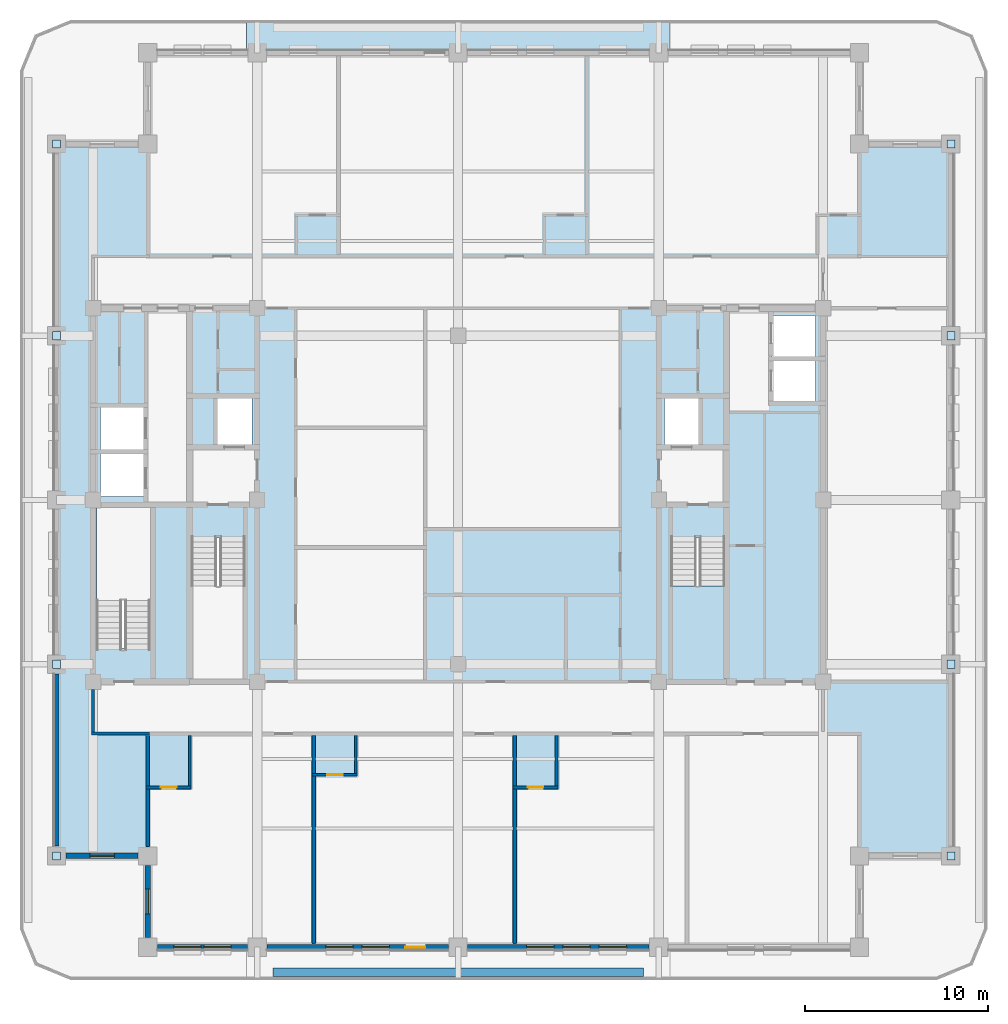
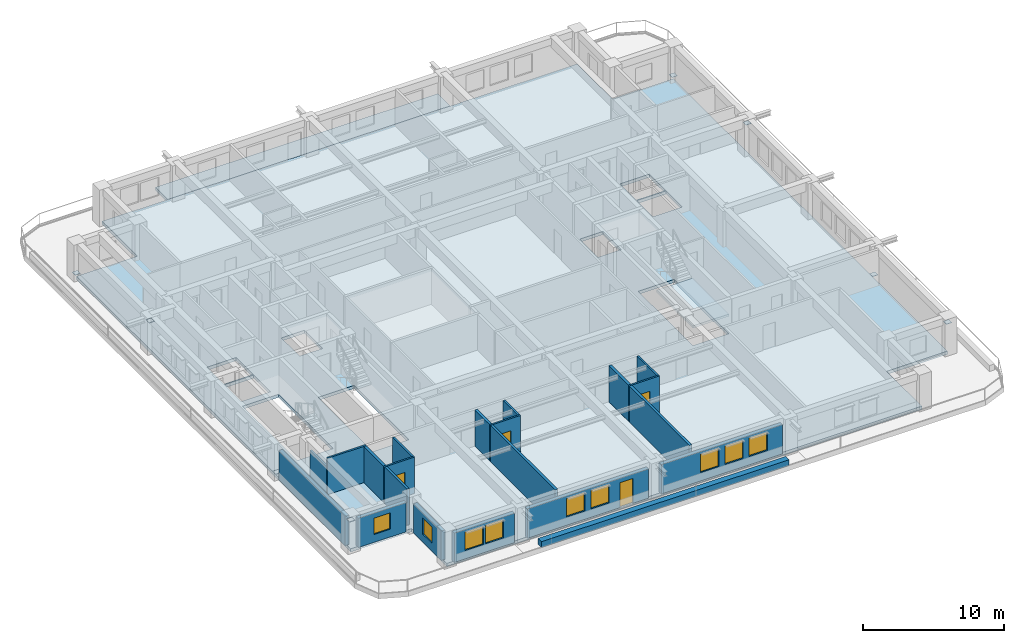
# One storey, part 2 of 13: 21 walls, 9 windows, 8 plates, 4 doors, 3 slabs, 13 openings, 1 element without a shape of its own.
"""IFC4 building model written with IfcOpenShell, lengths in metres."""

import ifcopenshell
import ifcopenshell.guid

model = None  # the IFC model being written
_history = None  # IfcOwnerHistory: only IFC2X3 demands one
_inside = {}  # id of a spatial element -> (the spatial element, [elements in it])
_under = {}  # id of a project, library or spatial element -> (it, [spatial elements below it])
_declared = {}  # id of a project -> (the project, [libraries it declares])
_typed = {}  # id of a type object -> (the type object, [elements of that type])
_made_of = {}  # id of a material, layer set ... -> (it, [elements and type objects made of it])


def new_model(schema):
    """Start an empty IFC model of exactly this schema.

    Asked for "IFC4X3", IfcOpenShell would pick the latest addendum, in which some entities
    have other attributes; the version numbers below select the first issue.
    IFC2X3 requires an IfcOwnerHistory on every rooted entity: one is made here for all.
    """
    global model, _history
    if schema == "IFC4X3":
        model = ifcopenshell.file(schema_version=(4, 3, 0, 0))
    else:
        model = ifcopenshell.file(schema=schema)
    _inside.clear()
    _under.clear()
    _declared.clear()
    _typed.clear()
    _made_of.clear()
    _history = None
    if model.schema == "IFC2X3":
        org = make("IfcOrganization", Name="unknown")
        user = make(
            "IfcPersonAndOrganization",
            ThePerson=make("IfcPerson", FamilyName="unknown"),
            TheOrganization=org,
        )
        app = make(
            "IfcApplication",
            ApplicationDeveloper=org,
            Version="unknown",
            ApplicationFullName="unknown",
            ApplicationIdentifier="unknown",
        )
        _history = make(
            "IfcOwnerHistory",
            OwningUser=user,
            OwningApplication=app,
            ChangeAction="ADDED",
            CreationDate=0,
        )
    return model


def make(cls, **values):
    """One entity of the class cls with the attributes given. An attribute that is None is left unset."""
    return model.create_entity(
        cls, **{name: value for name, value in values.items() if value is not None}
    )


def rooted(cls, **values):
    """An entity with a GlobalId (a new one), such as an element, a storey or a relation."""
    return make(cls, GlobalId=ifcopenshell.guid.new(), OwnerHistory=_history, **values)


def si_unit(unit_type, name, prefix=None):
    """IfcSIUnit, for example si_unit("LENGTHUNIT", "METRE", prefix="MILLI")."""
    return make("IfcSIUnit", UnitType=unit_type, Prefix=prefix, Name=name)


def assignment(units):
    """IfcUnitAssignment: the units of a project."""
    return None if units is None else make("IfcUnitAssignment", Units=units)


def point(xyz):
    """IfcCartesianPoint."""
    return None if xyz is None else make("IfcCartesianPoint", Coordinates=xyz)


def direction(xyz):
    """IfcDirection."""
    return None if xyz is None else make("IfcDirection", DirectionRatios=xyz)


def frame(location, z_axis=None, x_axis=None):
    """IfcAxis2Placement3D, a coordinate frame: its origin and axes. An axis left out is left unset."""
    return make(
        "IfcAxis2Placement3D",
        Location=point(location),
        Axis=direction(z_axis),
        RefDirection=direction(x_axis),
    )


def frame_2d(location, x_axis=None):
    """IfcAxis2Placement2D, a coordinate frame in the plane: its origin and x axis."""
    return make(
        "IfcAxis2Placement2D", Location=point(location), RefDirection=direction(x_axis)
    )


def origin():
    """The frame at (0, 0, 0) with its axes left unset."""
    return frame((0.0, 0.0, 0.0))


def origin_2d():
    """The frame at (0, 0) in the plane with its x axis left unset."""
    return frame_2d((0.0, 0.0))


def place(relative_to, where):
    """IfcLocalPlacement: puts the frame where relative to a parent placement (None: the world)."""
    return make(
        "IfcLocalPlacement", PlacementRelTo=relative_to, RelativePlacement=where
    )


def context(
    kind, dimensions, precision=None, world=None, true_north=None, identifier=None
):
    """IfcGeometricRepresentationContext, for example the 3D "Model" context."""
    return make(
        "IfcGeometricRepresentationContext",
        ContextIdentifier=identifier,
        ContextType=kind,
        CoordinateSpaceDimension=dimensions,
        Precision=precision,
        WorldCoordinateSystem=world,
        TrueNorth=true_north,
    )


def subcontext(parent, identifier, kind, view, scale=None):
    """IfcGeometricRepresentationSubContext, for example "Body" below "Model"."""
    return make(
        "IfcGeometricRepresentationSubContext",
        ContextIdentifier=identifier,
        ContextType=kind,
        ParentContext=parent,
        TargetScale=scale,
        TargetView=view,
    )


def project(units=None, contexts=None):
    """IfcProject with its units and contexts."""
    return rooted(
        "IfcProject",
        Name="project",
        RepresentationContexts=contexts,
        UnitsInContext=assignment(units),
    )


def spatial(cls, under=None, at=None, **own):
    """A site, building, storey or space (cls), placed at a placement, below another one or the project."""
    s = rooted(cls, ObjectPlacement=at, **own)
    if under is not None:
        _under.setdefault(under.id(), (under, []))[1].append(s)
    return s


def polyline(points):
    """IfcPolyline through the points."""
    return make("IfcPolyline", Points=[point(p) for p in points])


def profile(cls, at=None, kind="AREA", **sizes):
    """A parametric profile (cls). Its sizes go by their IFC names, for example OverallWidth=200.0."""
    return make(cls, ProfileType=kind, Position=at, **sizes)


def rectangle(**sizes):
    """IfcRectangleProfileDef."""
    return profile("IfcRectangleProfileDef", **sizes)


def outline(outer, holes=None, kind="AREA"):
    """IfcArbitraryClosedProfileDef: a profile drawn as a closed curve; with holes, ...WithVoids."""
    if holes is None:
        return make("IfcArbitraryClosedProfileDef", ProfileType=kind, OuterCurve=outer)
    return make(
        "IfcArbitraryProfileDefWithVoids",
        ProfileType=kind,
        OuterCurve=outer,
        InnerCurves=holes,
    )


def extrude(swept, where, along, depth):
    """IfcExtrudedAreaSolid: the profile swept, set in the frame where, extruded along a direction by depth."""
    return make(
        "IfcExtrudedAreaSolid",
        SweptArea=swept,
        Position=where,
        ExtrudedDirection=direction(along),
        Depth=depth,
    )


def shape(context_of_items, identifier, shape_type, items):
    """IfcShapeRepresentation: the items that make up one representation, for example the "Body"."""
    return make(
        "IfcShapeRepresentation",
        ContextOfItems=context_of_items,
        RepresentationIdentifier=identifier,
        RepresentationType=shape_type,
        Items=items,
    )


def material(Name=None, Category=None):
    """IfcMaterial."""
    return make("IfcMaterial", Name=Name, Category=Category)


def layer(
    of_material, thickness, ventilated=None, Name=None, Category=None, Priority=None
):
    """IfcMaterialLayer: one layer of a wall or slab, of a material (None: an air gap)."""
    return make(
        "IfcMaterialLayer",
        Material=of_material,
        LayerThickness=thickness,
        IsVentilated=ventilated,
        Name=Name,
        Category=Category,
        Priority=Priority,
    )


def layer_set(layers, Name=None):
    """IfcMaterialLayerSet."""
    return make("IfcMaterialLayerSet", MaterialLayers=layers, LayerSetName=Name)


def made_of(thing, what):
    """Note that an element or type object is made of a material, layer set ...; save() writes the relation."""
    if what is not None:
        _made_of.setdefault(what.id(), (what, []))[1].append(thing)
    return thing


def type_object(cls, material=None, **own):
    """A type object (cls), such as IfcWallType, which elements share."""
    return made_of(rooted(cls, **own), material)


def element(
    cls,
    number,
    at=None,
    inside=None,
    cuts=None,
    type_object=None,
    material=None,
    context=None,
    identifier="Body",
    shape_type=None,
    held_by="IfcProductDefinitionShape",
    body=None,
    shapes=None,
    **own,
):
    """One element of the class cls, such as IfcWall. Its Tag is "e" and its number.

    at: its placement. inside: the storey or other place that contains it. cuts: it is an
    opening in that element (IfcRelVoidsElement). A single representation is given by context,
    identifier, shape_type and body (its items); several are given by shapes. held_by: the class
    of the entity that holds the representations. save() writes the other relations.
    """
    e = rooted(cls, Tag="e%d" % number, ObjectPlacement=at, **own)
    if body is not None:
        shapes = [shape(context, identifier, shape_type, body)]
    if shapes is not None:
        e.Representation = make(held_by, Representations=shapes)
    if inside is not None:
        _inside.setdefault(inside.id(), (inside, []))[1].append(e)
    if cuts is not None:
        rooted(
            "IfcRelVoidsElement", RelatingBuildingElement=cuts, RelatedOpeningElement=e
        )
    if type_object is not None:
        _typed.setdefault(type_object.id(), (type_object, []))[1].append(e)
    return made_of(e, material)


def fill(opening, filler):
    """IfcRelFillsElement: the door or window that sits in an opening."""
    return rooted(
        "IfcRelFillsElement",
        RelatingOpeningElement=opening,
        RelatedBuildingElement=filler,
    )


def aggregate(whole, parts):
    """IfcRelAggregates: a whole, such as a stair, and the parts it consists of."""
    return rooted("IfcRelAggregates", RelatingObject=whole, RelatedObjects=parts)


def save(model, path):
    """Write the relations noted so far, then the file.

    IfcRelAggregates (storeys below a building ...), IfcRelContainedInSpatialStructure (elements
    in a storey), IfcRelDefinesByType, IfcRelAssociatesMaterial and IfcRelDeclares: one each for
    every whole, place, type object, material and project.
    """
    for whole, parts in _under.values():
        aggregate(whole, parts)
    for where, things in _inside.values():
        rooted(
            "IfcRelContainedInSpatialStructure",
            RelatedElements=things,
            RelatingStructure=where,
        )
    for kind, things in _typed.values():
        rooted("IfcRelDefinesByType", RelatedObjects=things, RelatingType=kind)
    for what, things in _made_of.values():
        rooted("IfcRelAssociatesMaterial", RelatedObjects=things, RelatingMaterial=what)
    for by, libraries in _declared.values():
        rooted("IfcRelDeclares", RelatingContext=by, RelatedDefinitions=libraries)
    model.write(path)


model = new_model("IFC4")

# Units and contexts
model_context = context("Model", 3, precision=1e-05, world=origin(), true_north=direction((0.0, 1.0)))
body_context = subcontext(model_context, "Body", "Model", "MODEL_VIEW")
ifc_project = project(units=[si_unit("LENGTHUNIT", "METRE"), si_unit("AREAUNIT", "SQUARE_METRE"), si_unit("VOLUMEUNIT", "CUBIC_METRE"), si_unit("PLANEANGLEUNIT", "RADIAN"), si_unit("MASSUNIT", "GRAM", prefix="KILO")], contexts=[model_context])

# Site, building, storey
site_placement = place(None, origin())
site = spatial("IfcSite", under=ifc_project, at=site_placement, CompositionType="ELEMENT")
building_placement = place(site_placement, origin())
building = spatial("IfcBuilding", under=site, at=building_placement, Name="Zulmaris Gate Convention Tower", CompositionType="ELEMENT")
storey_placement = place(building_placement, frame((0.0, 0.0, 176.259765625)))
storey = spatial("IfcBuildingStorey", under=building, at=storey_placement, Name="L45", CompositionType="ELEMENT", Elevation=176.259765625)

# Plates
ifc_material_1 = material(Name="Steel S460", Category="steel")
ifc_layer_1 = layer(ifc_material_1, 0.02490234375, Name="Steel S460")
ifc_layer_set_1 = layer_set([ifc_layer_1], Name="Steel S460")
plate_type = type_object("IfcPlateType", Name="NP-CAP-440", PredefinedType="USERDEFINED", material=ifc_layer_set_1)
for number, where, z_axis, x_axis, name in (
    (1, (-22.0, -9.0, 0.28759765625), (0.0, 0.0, 1.0), (1.0, 0.0, 0.0), "L45 Steel Node Plate PBR-L45-SW-W-CAP"),
    (2, (-22.0, -19.5, 2.517578125), (0.0, 0.0, 1.0), (1.0, 0.0, 0.0), "L45 Steel Node Plate PBR-L45-SW-W-CAPB"),
    (3, (-22.0, 19.5, 0.28759765625), (0.0, 0.0, 1.0), (1.0, 0.0, 0.0), "L45 Steel Node Plate PBR-L45-NW-W-CAP"),
    (4, (-22.0, 9.0, 2.517578125), (0.0, 0.0, 1.0), (1.0, 0.0, 0.0), "L45 Steel Node Plate PBR-L45-NW-W-CAPB"),
    (5, (27.0, -9.0, 0.28759765625), (0.0, 0.0, 1.0), (1.0, 0.0, 0.0), "L45 Steel Node Plate PBR-L45-SE-E-CAP"),
    (6, (27.0, -19.5, 2.517578125), (0.0, 0.0, 1.0), (1.0, 0.0, 0.0), "L45 Steel Node Plate PBR-L45-SE-E-CAPB"),
    (7, (27.0, 19.5, 0.28759765625), (0.0, 0.0, 1.0), (1.0, 0.0, 0.0), "L45 Steel Node Plate PBR-L45-NE-E-CAP"),
    (8, (27.0, 9.0, 2.517578125), (0.0, 0.0, 1.0), (1.0, 0.0, 0.0), "L45 Steel Node Plate PBR-L45-NE-E-CAPB"),
):
    element("IfcPlate", number, at=place(storey_placement, frame(where, z_axis=z_axis, x_axis=x_axis)), inside=storey, type_object=plate_type, Name=name, ObjectType="FLANGE PLATE", PredefinedType="USERDEFINED", context=body_context, shape_type="SweptSolid", body=[
        extrude(rectangle(XDim=0.43994140625, YDim=0.43994140625, at=origin_2d()), origin(), (0.0, 0.0, 1.0), 0.02490234375),
    ])

# Slabs
ifc_material_2 = material(Name="Precast concrete C50/60", Category="concrete")
ifc_layer_2 = layer(ifc_material_2, 0.239990234375, Name="Precast concrete C50/60")
ifc_layer_set_2 = layer_set([ifc_layer_2], Name="Precast concrete C50/60")
slab_type_1 = type_object("IfcSlabType", Name="SL-BAL-240", PredefinedType="FLOOR", material=ifc_layer_set_2)
slab_1_placement = place(storey_placement, frame((0.0, 0.0, -0.27490234375)))
element("IfcSlab", 9, at=slab_1_placement, inside=storey, type_object=slab_type_1, Name="L45 North Tree-Balcony Planter Slab", PredefinedType="FLOOR", context=body_context, shape_type="SweptSolid", body=[
    extrude(outline(polyline([(11.597900390625, 26.300048828125), (11.597900390625, 24.5), (-11.597900390625, 24.5), (-11.597900390625, 26.300048828125), (11.597900390625, 26.300048828125)])), origin(), (0.0, 0.0, 1.0), 0.239990234375),
])
ifc_material_3 = material(Name="Concrete C50/60", Category="concrete")
ifc_layer_3 = layer(ifc_material_3, 0.27490234375, Name="Concrete C50/60")
ifc_layer_set_3 = layer_set([ifc_layer_3], Name="Concrete C50/60")
slab_type_2 = type_object("IfcSlabType", Name="SL-FLR-275", PredefinedType="FLOOR", material=ifc_layer_set_3)
slab_2_placement = place(storey_placement, frame((0.0, 0.0, -0.27490234375)))
element("IfcSlab", 10, at=slab_2_placement, inside=storey, type_object=slab_type_2, Name="L45 Shifted Notched-Square Structural Floor Slab", PredefinedType="FLOOR", context=body_context, shape_type="SweptSolid", body=[
    extrude(outline(polyline([(-17.0, -24.5), (22.0, -24.5), (22.0, -19.5), (27.0, -19.5), (27.0, 19.5), (22.0, 19.5), (22.0, 24.5), (-17.0, 24.5), (-17.0, 19.5), (-22.0, 19.5), (-22.0, -19.5), (-17.0, -19.5), (-17.0, -24.5)]), holes=[polyline([(-14.6201171875, -2.080078125), (-14.6201171875, -9.85009765625), (-11.659912109375, -9.85009765625), (-11.659912109375, -2.080078125), (-14.6201171875, -2.080078125)]), polyline([(11.659912109375, -2.080078125), (11.659912109375, -9.85009765625), (14.6201171875, -9.85009765625), (14.6201171875, -2.080078125), (11.659912109375, -2.080078125)]), polyline([(-16.860107421875, -8.1201171875), (-16.860107421875, -0.35009765625), (-19.820068359375, -0.35009765625), (-19.820068359375, -8.1201171875), (-16.860107421875, -8.1201171875)]), polyline([(-13.199951171875, 3.0), (-11.300048828125, 3.0), (-11.300048828125, 5.60009765625), (-13.199951171875, 5.60009765625), (-13.199951171875, 3.0)]), polyline([(11.300048828125, 3.0), (13.199951171875, 3.0), (13.199951171875, 5.60009765625), (11.300048828125, 5.60009765625), (11.300048828125, 3.0)]), polyline([(17.199951171875, 5.39990234375), (19.60009765625, 5.39990234375), (19.60009765625, 7.699951171875), (17.199951171875, 7.699951171875), (17.199951171875, 5.39990234375)]), polyline([(17.199951171875, 7.800048828125), (19.60009765625, 7.800048828125), (19.60009765625, 10.10009765625), (17.199951171875, 10.10009765625), (17.199951171875, 7.800048828125)]), polyline([(-19.60009765625, 0.199951171875), (-17.199951171875, 0.199951171875), (-17.199951171875, 2.60009765625), (-19.60009765625, 2.60009765625), (-19.60009765625, 0.199951171875)]), polyline([(-19.60009765625, 2.699951171875), (-17.199951171875, 2.699951171875), (-17.199951171875, 5.10009765625), (-19.60009765625, 5.10009765625), (-19.60009765625, 2.699951171875)])]), origin(), (0.0, 0.0, 1.0), 0.27490234375),
])

# Stair, slab
ifc_material_4 = material(Name="Concrete C45/55", Category="concrete")
stair_type = type_object("IfcStairType", Name="ST-CORE-DOGLEG", PredefinedType="HALF_TURN_STAIR", material=ifc_material_4)
stair_placement = place(storey_placement, origin())
stair = element("IfcStair", 11, at=stair_placement, inside=storey, type_object=stair_type, Name="L45 Core Exit Stair ST-2", PredefinedType="HALF_TURN_STAIR")
ifc_layer_4 = layer(ifc_material_4, 0.199951171875, Name="Concrete C45/55")
ifc_layer_set_4 = layer_set([ifc_layer_4], Name="Concrete C45/55")
slab_type_3 = type_object("IfcSlabType", Name="SL-LND-200", PredefinedType="LANDING", material=ifc_layer_set_4)
slab_3_placement = place(storey_placement, frame((0.0, 0.0, 1.5)))
slab_3 = element("IfcSlab", 12, at=slab_3_placement, type_object=slab_type_3, Name="ST-2 landing 1", PredefinedType="LANDING", context=body_context, shape_type="SweptSolid", body=[
    extrude(outline(polyline([(11.659912109375, -4.699951171875), (11.659912109375, -9.85009765625), (14.6201171875, -9.85009765625), (14.6201171875, -4.699951171875), (11.659912109375, -4.699951171875)])), origin(), (0.0, 0.0, 1.0), 0.2001953125),
])
aggregate(stair, [slab_3])

# Wall, opening, door
ifc_material_5 = material(Name="Gypsum Metal Stud Partition")
ifc_layer_5 = layer(ifc_material_5, 0.14990234375, Name="Gypsum Metal Stud Partition")
ifc_layer_set_5 = layer_set([ifc_layer_5], Name="Gypsum Metal Stud Partition")
wall_type_1 = type_object("IfcWallType", Name="PART-150", PredefinedType="PARTITIONING", material=ifc_layer_set_5)
wall_1_placement = place(storey_placement, frame((-17.10009765625, -15.75, 0.0), z_axis=(0.0, 0.0, 1.0), x_axis=(1.0, 0.0, 0.0)))
wall_1 = element("IfcWall", 13, at=wall_1_placement, inside=storey, type_object=wall_type_1, Name="WL-L45-019", PredefinedType="PARTITIONING", context=body_context, shape_type="SweptSolid", body=[
    extrude(rectangle(XDim=2.47509765625, YDim=0.14990234375, at=frame_2d((1.237548828125, 0.0))), origin(), (0.0, 0.0, 1.0), 3.150146484375),
])
opening_1_placement = place(wall_1_placement, frame((0.824951171875, 0.0, 0.0)))
opening_1 = element("IfcOpeningElement", 14, at=opening_1_placement, cuts=wall_1, Name="Opening D-17", PredefinedType="OPENING", context=body_context, shape_type="SweptSolid", body=[
    extrude(rectangle(XDim=0.85009765625, YDim=2.10009765625, at=frame_2d((0.425048828125, 1.050048828125))), frame((0.0, 0.0849609375, 0.0), z_axis=(0.0, -1.0, 0.0), x_axis=(1.0, 0.0, 0.0)), (0.0, 0.0, 1.0), 0.169921875),
])
ifc_material_6 = material(Name="Moisture-Resistant Hardwood Timber", Category="wood")
door_type_1 = type_object("IfcDoorType", Name="DR-850", OperationType="NOTDEFINED", PredefinedType="DOOR", material=ifc_material_6)
door_1_placement = place(opening_1_placement, origin())
door_1 = element("IfcDoor", 15, at=door_1_placement, inside=storey, type_object=door_type_1, Name="L45 En-Suite Door 36", OperationType="SINGLE_SWING_LEFT", OverallHeight=2.10009765625, OverallWidth=0.85009765625, PredefinedType="DOOR", context=body_context, shape_type="SweptSolid", body=[
    extrude(rectangle(XDim=0.85009765625, YDim=2.10009765625, at=frame_2d((0.425048828125, 1.050048828125))), frame((0.0, 0.02490234375, 0.0), z_axis=(0.0, -1.0, 0.0), x_axis=(1.0, 0.0, 0.0)), (0.0, 0.0, 1.0), 0.050048828125),
])
fill(opening_1, door_1)

wall_2_placement = place(storey_placement, frame((3.0, -15.75, 0.0), z_axis=(0.0, 0.0, 1.0), x_axis=(1.0, 0.0, 0.0)))
wall_2 = element("IfcWall", 16, at=wall_2_placement, inside=storey, type_object=wall_type_1, Name="WL-L45-020", PredefinedType="PARTITIONING", context=body_context, shape_type="SweptSolid", body=[
    extrude(rectangle(XDim=2.47509765625, YDim=0.14990234375, at=frame_2d((1.237548828125, 0.0))), origin(), (0.0, 0.0, 1.0), 3.150146484375),
])
opening_2_placement = place(wall_2_placement, frame((0.824951171875, 0.0, 0.0)))
opening_2 = element("IfcOpeningElement", 17, at=opening_2_placement, cuts=wall_2, Name="Opening D-17", PredefinedType="OPENING", context=body_context, shape_type="SweptSolid", body=[
    extrude(rectangle(XDim=0.85009765625, YDim=2.10009765625, at=frame_2d((0.425048828125, 1.050048828125))), frame((0.0, 0.0849609375, 0.0), z_axis=(0.0, -1.0, 0.0), x_axis=(1.0, 0.0, 0.0)), (0.0, 0.0, 1.0), 0.169921875),
])
door_2_placement = place(opening_2_placement, origin())
door_2 = element("IfcDoor", 18, at=door_2_placement, inside=storey, type_object=door_type_1, Name="L45 En-Suite Door 40", OperationType="SINGLE_SWING_LEFT", OverallHeight=2.10009765625, OverallWidth=0.85009765625, PredefinedType="DOOR", context=body_context, shape_type="SweptSolid", body=[
    extrude(rectangle(XDim=0.85009765625, YDim=2.10009765625, at=frame_2d((0.425048828125, 1.050048828125))), frame((0.0, 0.02490234375, 0.0), z_axis=(0.0, -1.0, 0.0), x_axis=(1.0, 0.0, 0.0)), (0.0, 0.0, 1.0), 0.050048828125),
])
fill(opening_2, door_2)

wall_3_placement = place(storey_placement, frame((-8.0, -15.050048828125, 0.0), z_axis=(0.0, 0.0, 1.0), x_axis=(1.0, 0.0, 0.0)))
wall_3 = element("IfcWall", 19, at=wall_3_placement, inside=storey, type_object=wall_type_1, Name="WL-L45-021", PredefinedType="PARTITIONING", context=body_context, shape_type="SweptSolid", body=[
    extrude(rectangle(XDim=2.47509765625, YDim=0.14990234375, at=frame_2d((1.237548828125, 0.0))), origin(), (0.0, 0.0, 1.0), 3.150146484375),
])
opening_3_placement = place(wall_3_placement, frame((0.824951171875, 0.0, 0.0)))
opening_3 = element("IfcOpeningElement", 20, at=opening_3_placement, cuts=wall_3, Name="Opening D-17", PredefinedType="OPENING", context=body_context, shape_type="SweptSolid", body=[
    extrude(rectangle(XDim=0.85009765625, YDim=2.10009765625, at=frame_2d((0.425048828125, 1.050048828125))), frame((0.0, 0.0849609375, 0.0), z_axis=(0.0, -1.0, 0.0), x_axis=(1.0, 0.0, 0.0)), (0.0, 0.0, 1.0), 0.169921875),
])
door_3_placement = place(opening_3_placement, origin())
door_3 = element("IfcDoor", 21, at=door_3_placement, inside=storey, type_object=door_type_1, Name="L45 En-Suite Door 38", OperationType="SINGLE_SWING_LEFT", OverallHeight=2.10009765625, OverallWidth=0.85009765625, PredefinedType="DOOR", context=body_context, shape_type="SweptSolid", body=[
    extrude(rectangle(XDim=0.85009765625, YDim=2.10009765625, at=frame_2d((0.425048828125, 1.050048828125))), frame((0.0, 0.02490234375, 0.0), z_axis=(0.0, -1.0, 0.0), x_axis=(1.0, 0.0, 0.0)), (0.0, 0.0, 1.0), 0.050048828125),
])
fill(opening_3, door_3)

# Walls
wall_4_placement = place(storey_placement, frame((-20.074951171875, -12.800048828125, 0.0), z_axis=(0.0, 0.0, 1.0), x_axis=(1.0, 0.0, 0.0)))
element("IfcWall", 22, at=wall_4_placement, inside=storey, type_object=wall_type_1, Name="WL-L45-022", PredefinedType="PARTITIONING", context=body_context, shape_type="SweptSolid", body=[
    extrude(rectangle(XDim=3.175048828125, YDim=0.14990234375, at=frame_2d((1.58740234375, 0.0))), origin(), (0.0, 0.0, 1.0), 3.150146484375),
])
wall_5_placement = place(storey_placement, frame((-20.0, -12.721923828125, 0.0), z_axis=(0.0, 0.0, 1.0), x_axis=(0.0, 1.0, 0.0)))
element("IfcWall", 23, at=wall_5_placement, inside=storey, type_object=wall_type_1, Name="WL-L45-074", PredefinedType="PARTITIONING", context=body_context, shape_type="SweptSolid", body=[
    extrude(rectangle(XDim=2.3408203125, YDim=0.14990234375, at=frame_2d((1.17041015625, 0.0))), origin(), (0.0, 0.0, 1.0), 2.342041015625),
])
wall_6_placement = place(storey_placement, frame((-14.699951171875, -15.672119140625, 0.0), z_axis=(0.0, 0.0, 1.0), x_axis=(0.0, 1.0, 0.0)))
element("IfcWall", 24, at=wall_6_placement, inside=storey, type_object=wall_type_1, Name="WL-L45-081", PredefinedType="PARTITIONING", context=body_context, shape_type="SweptSolid", body=[
    extrude(rectangle(XDim=2.76904296875, YDim=0.14990234375, at=frame_2d((1.384521484375, 0.0))), origin(), (0.0, 0.0, 1.0), 3.150146484375),
])
wall_7_placement = place(storey_placement, frame((-5.60009765625, -14.971923828125, 0.0), z_axis=(0.0, 0.0, 1.0), x_axis=(0.0, 1.0, 0.0)))
element("IfcWall", 25, at=wall_7_placement, inside=storey, type_object=wall_type_1, Name="WL-L45-092", PredefinedType="PARTITIONING", context=body_context, shape_type="SweptSolid", body=[
    extrude(rectangle(XDim=2.06884765625, YDim=0.14990234375, at=frame_2d((1.034423828125, 0.0))), origin(), (0.0, 0.0, 1.0), 3.150146484375),
])
wall_8_placement = place(storey_placement, frame((5.39990234375, -15.672119140625, 0.0), z_axis=(0.0, 0.0, 1.0), x_axis=(0.0, 1.0, 0.0)))
element("IfcWall", 26, at=wall_8_placement, inside=storey, type_object=wall_type_1, Name="WL-L45-101", PredefinedType="PARTITIONING", context=body_context, shape_type="SweptSolid", body=[
    extrude(rectangle(XDim=2.76904296875, YDim=0.14990234375, at=frame_2d((1.384521484375, 0.0))), origin(), (0.0, 0.0, 1.0), 3.150146484375),
])
ifc_material_7 = material(Name="Autoclaved Aerated Concrete Block and Plasterboard", Category="concrete")
ifc_layer_6 = layer(ifc_material_7, 0.199951171875, Name="Autoclaved Aerated Concrete Block and Plasterboard")
ifc_layer_set_6 = layer_set([ifc_layer_6], Name="Autoclaved Aerated Concrete Block and Plasterboard")
wall_type_2 = type_object("IfcWallType", Name="PART-200", PredefinedType="PARTITIONING", material=ifc_layer_set_6)
wall_9_placement = place(storey_placement, frame((-17.0, -18.993896484375, 0.0), z_axis=(0.0, 0.0, 1.0), x_axis=(0.0, 1.0, 0.0)))
element("IfcWall", 27, at=wall_9_placement, inside=storey, type_object=wall_type_2, Name="WL-L45-078", PredefinedType="PARTITIONING", context=body_context, shape_type="SweptSolid", body=[
    extrude(rectangle(XDim=3.166015625, YDim=0.199951171875, at=frame_2d((1.5830078125, 0.0))), origin(), (0.0, 0.0, 1.0), 3.150146484375),
])
wall_10_placement = place(storey_placement, frame((-17.0, -15.672119140625, 0.0), z_axis=(0.0, 0.0, 1.0), x_axis=(0.0, 1.0, 0.0)))
element("IfcWall", 28, at=wall_10_placement, inside=storey, type_object=wall_type_2, Name="WL-L45-079", PredefinedType="PARTITIONING", context=body_context, shape_type="SweptSolid", body=[
    extrude(rectangle(XDim=2.76904296875, YDim=0.199951171875, at=frame_2d((1.384521484375, 0.0))), origin(), (0.0, 0.0, 1.0), 3.150146484375),
])
wall_11_placement = place(storey_placement, frame((-7.89990234375, -24.3349609375, 0.0), z_axis=(0.0, 0.0, 1.0), x_axis=(0.0, 1.0, 0.0)))
element("IfcWall", 29, at=wall_11_placement, inside=storey, type_object=wall_type_2, Name="WL-L45-088", PredefinedType="PARTITIONING", context=body_context, shape_type="SweptSolid", body=[
    extrude(rectangle(XDim=9.20703125, YDim=0.199951171875, at=frame_2d((4.603515625, 0.0))), origin(), (0.0, 0.0, 1.0), 3.150146484375),
])
wall_12_placement = place(storey_placement, frame((-7.89990234375, -14.971923828125, 0.0), z_axis=(0.0, 0.0, 1.0), x_axis=(0.0, 1.0, 0.0)))
element("IfcWall", 30, at=wall_12_placement, inside=storey, type_object=wall_type_2, Name="WL-L45-089", PredefinedType="PARTITIONING", context=body_context, shape_type="SweptSolid", body=[
    extrude(rectangle(XDim=2.06884765625, YDim=0.199951171875, at=frame_2d((1.034423828125, 0.0))), origin(), (0.0, 0.0, 1.0), 3.150146484375),
])
wall_13_placement = place(storey_placement, frame((3.10009765625, -24.3349609375, 0.0), z_axis=(0.0, 0.0, 1.0), x_axis=(0.0, 1.0, 0.0)))
element("IfcWall", 31, at=wall_13_placement, inside=storey, type_object=wall_type_2, Name="WL-L45-098", PredefinedType="PARTITIONING", context=body_context, shape_type="SweptSolid", body=[
    extrude(rectangle(XDim=8.507080078125, YDim=0.199951171875, at=frame_2d((4.25341796875, 0.0))), origin(), (0.0, 0.0, 1.0), 3.150146484375),
])
wall_14_placement = place(storey_placement, frame((3.10009765625, -15.672119140625, 0.0), z_axis=(0.0, 0.0, 1.0), x_axis=(0.0, 1.0, 0.0)))
element("IfcWall", 32, at=wall_14_placement, inside=storey, type_object=wall_type_2, Name="WL-L45-099", PredefinedType="PARTITIONING", context=body_context, shape_type="SweptSolid", body=[
    extrude(rectangle(XDim=2.76904296875, YDim=0.199951171875, at=frame_2d((1.384521484375, 0.0))), origin(), (0.0, 0.0, 1.0), 3.150146484375),
])
ifc_material_8 = material(Name="Botanical Green Glazed Precast Concrete C40/50", Category="concrete")
ifc_layer_7 = layer(ifc_material_8, 0.419921875, Name="Botanical Green Glazed Precast Concrete C40/50")
ifc_layer_set_7 = layer_set([ifc_layer_7], Name="Botanical Green Glazed Precast Concrete C40/50")
wall_type_3 = type_object("IfcWallType", Name="PLANTER-CURB-200", PredefinedType="PARAPET", material=ifc_layer_set_7)
wall_15_placement = place(storey_placement, frame((-10.14990234375, -25.8798828125, -0.0400390625), z_axis=(0.0, 0.0, 1.0), x_axis=(1.0, 0.0, 0.0)))
element("IfcWall", 33, at=wall_15_placement, inside=storey, type_object=wall_type_3, Name="L45 Full-Length Balcony Tree Planter Trough", PredefinedType="PARAPET", context=body_context, shape_type="SweptSolid", body=[
    extrude(rectangle(XDim=20.2998046875, YDim=0.47998046875, at=frame_2d((10.14990234375, 0.0))), origin(), (0.0, 0.0, 1.0), 0.52001953125),
])

# Wall, opening, window
ifc_material_9 = material(Name="Precast concrete C40/50", Category="concrete")
ifc_layer_8 = layer(ifc_material_9, 0.300048828125, Name="Precast concrete C40/50")
ifc_layer_set_8 = layer_set([ifc_layer_8], Name="Precast concrete C40/50")
wall_type_4 = type_object("IfcWallType", Name="PRECAST-PIER-300", PredefinedType="STANDARD", material=ifc_layer_set_8)
wall_16_placement = place(storey_placement, frame((-21.469970703125, -19.5, 0.0), z_axis=(0.0, 0.0, 1.0), x_axis=(1.0, 0.0, 0.0)))
wall_16 = element("IfcWall", 34, at=wall_16_placement, inside=storey, type_object=wall_type_4, Name="EW-L45-NOTCH-SW1_0", PredefinedType="STANDARD", context=body_context, shape_type="SweptSolid", body=[
    extrude(rectangle(XDim=3.93994140625, YDim=0.300048828125, at=frame_2d((1.969970703125, 0.0))), origin(), (0.0, 0.0, 1.0), 2.542236328125),
])
opening_4_placement = place(wall_16_placement, frame((1.294921875, 0.0, 0.679931640625)))
opening_4 = element("IfcOpeningElement", 35, at=opening_4_placement, cuts=wall_16, Name="Opening W-10", PredefinedType="OPENING", context=body_context, shape_type="SweptSolid", body=[
    extrude(rectangle(XDim=1.35009765625, YDim=1.419921875, at=frame_2d((0.675048828125, 0.7099609375))), frame((0.0, 0.16015625, 0.0), z_axis=(0.0, -1.0, 0.0), x_axis=(1.0, 0.0, 0.0)), (0.0, 0.0, 1.0), 0.320068359375),
])
ifc_material_10 = material(Name="Low-E Laminated Double Glazing in Aluminium Frame", Category="aluminium")
window_type_1 = type_object("IfcWindowType", Name="WIN-1350x2000", PartitioningType="SINGLE_PANEL", PredefinedType="WINDOW", material=ifc_material_10)
window_1_placement = place(opening_4_placement, origin())
window_1 = element("IfcWindow", 36, at=window_1_placement, inside=storey, type_object=window_type_1, Name="WN-EW-L45-NOTCH-SW1_0", OverallHeight=1.419921875, OverallWidth=1.35009765625, PartitioningType="SINGLE_PANEL", PredefinedType="WINDOW", context=body_context, shape_type="SweptSolid", body=[
    extrude(rectangle(XDim=1.35009765625, YDim=1.419921875, at=frame_2d((0.675048828125, 0.7099609375))), frame((0.0, 0.030029296875, 0.0), z_axis=(0.0, -1.0, 0.0), x_axis=(1.0, 0.0, 0.0)), (0.0, 0.0, 1.0), 0.06005859375),
])
fill(opening_4, window_1)

wall_17_placement = place(storey_placement, frame((-17.0, -20.030029296875, 0.0), z_axis=(0.0, 0.0, 1.0), x_axis=(0.0, -1.0, 0.0)))
wall_17 = element("IfcWall", 37, at=wall_17_placement, inside=storey, type_object=wall_type_4, Name="EW-L45-NOTCH-SW2_0", PredefinedType="STANDARD", context=body_context, shape_type="SweptSolid", body=[
    extrude(rectangle(XDim=3.93994140625, YDim=0.300048828125, at=frame_2d((1.969970703125, 0.0))), origin(), (0.0, 0.0, 1.0), 2.542236328125),
])
opening_5_placement = place(wall_17_placement, frame((1.294921875, 0.0, 0.679931640625)))
opening_5 = element("IfcOpeningElement", 38, at=opening_5_placement, cuts=wall_17, Name="Opening W-10", PredefinedType="OPENING", context=body_context, shape_type="SweptSolid", body=[
    extrude(rectangle(XDim=1.35009765625, YDim=1.419921875, at=frame_2d((0.675048828125, 0.7099609375))), frame((0.0, 0.16015625, 0.0), z_axis=(0.0, -1.0, 0.0), x_axis=(1.0, 0.0, 0.0)), (0.0, 0.0, 1.0), 0.320068359375),
])
window_2_placement = place(opening_5_placement, origin())
window_2 = element("IfcWindow", 39, at=window_2_placement, inside=storey, type_object=window_type_1, Name="WN-EW-L45-NOTCH-SW2_0", OverallHeight=1.419921875, OverallWidth=1.35009765625, PartitioningType="SINGLE_PANEL", PredefinedType="WINDOW", context=body_context, shape_type="SweptSolid", body=[
    extrude(rectangle(XDim=1.35009765625, YDim=1.419921875, at=frame_2d((0.675048828125, 0.7099609375))), frame((0.0, 0.030029296875, 0.0), z_axis=(0.0, -1.0, 0.0), x_axis=(1.0, 0.0, 0.0)), (0.0, 0.0, 1.0), 0.06005859375),
])
fill(opening_5, window_2)

# Wall, openings, windows
wall_18_placement = place(storey_placement, frame((-16.469970703125, -24.5, 0.0), z_axis=(0.0, 0.0, 1.0), x_axis=(1.0, 0.0, 0.0)))
wall_18 = element("IfcWall", 40, at=wall_18_placement, inside=storey, type_object=wall_type_4, Name="EW-L45-S-0_0", PredefinedType="STANDARD", context=body_context, shape_type="SweptSolid", body=[
    extrude(rectangle(XDim=4.93994140625, YDim=0.300048828125, at=frame_2d((2.469970703125, 0.0))), origin(), (0.0, 0.0, 1.0), 2.542236328125),
])
opening_6_placement = place(wall_18_placement, frame((0.89697265625, 0.0, 0.719970703125)))
opening_6 = element("IfcOpeningElement", 41, at=opening_6_placement, cuts=wall_18, Name="Opening W-03", PredefinedType="OPENING", context=body_context, shape_type="SweptSolid", body=[
    extrude(rectangle(XDim=1.5, YDim=1.60009765625, at=frame_2d((0.75, 0.800048828125))), frame((0.0, 0.16015625, 0.0), z_axis=(0.0, -1.0, 0.0), x_axis=(1.0, 0.0, 0.0)), (0.0, 0.0, 1.0), 0.320068359375),
])
opening_7_placement = place(wall_18_placement, frame((2.54296875, 0.0, 0.719970703125)))
opening_7 = element("IfcOpeningElement", 42, at=opening_7_placement, cuts=wall_18, Name="Opening W-03", PredefinedType="OPENING", context=body_context, shape_type="SweptSolid", body=[
    extrude(rectangle(XDim=1.5, YDim=1.60009765625, at=frame_2d((0.75, 0.800048828125))), frame((0.0, 0.16015625, 0.0), z_axis=(0.0, -1.0, 0.0), x_axis=(1.0, 0.0, 0.0)), (0.0, 0.0, 1.0), 0.320068359375),
])
window_type_2 = type_object("IfcWindowType", Name="WIN-1500x2100", PartitioningType="SINGLE_PANEL", PredefinedType="WINDOW", material=ifc_material_10)
window_3_placement = place(opening_6_placement, origin())
window_3 = element("IfcWindow", 43, at=window_3_placement, inside=storey, type_object=window_type_2, Name="WN-EW-L45-S-0_0-1", OverallHeight=1.60009765625, OverallWidth=1.5, PartitioningType="SINGLE_PANEL", PredefinedType="WINDOW", context=body_context, shape_type="SweptSolid", body=[
    extrude(rectangle(XDim=1.5, YDim=1.60009765625, at=frame_2d((0.75, 0.800048828125))), frame((0.0, 0.030029296875, 0.0), z_axis=(0.0, -1.0, 0.0), x_axis=(1.0, 0.0, 0.0)), (0.0, 0.0, 1.0), 0.06005859375),
])
fill(opening_6, window_3)
window_4_placement = place(opening_7_placement, origin())
window_4 = element("IfcWindow", 44, at=window_4_placement, inside=storey, type_object=window_type_2, Name="WN-EW-L45-S-0_0-2", OverallHeight=1.60009765625, OverallWidth=1.5, PartitioningType="SINGLE_PANEL", PredefinedType="WINDOW", context=body_context, shape_type="SweptSolid", body=[
    extrude(rectangle(XDim=1.5, YDim=1.60009765625, at=frame_2d((0.75, 0.800048828125))), frame((0.0, 0.030029296875, 0.0), z_axis=(0.0, -1.0, 0.0), x_axis=(1.0, 0.0, 0.0)), (0.0, 0.0, 1.0), 0.06005859375),
])
fill(opening_7, window_4)

# Wall, openings, door, windows
wall_19_placement = place(storey_placement, frame((-10.469970703125, -24.5, 0.0), z_axis=(0.0, 0.0, 1.0), x_axis=(1.0, 0.0, 0.0)))
wall_19 = element("IfcWall", 45, at=wall_19_placement, inside=storey, type_object=wall_type_4, Name="EW-L45-S-1_0", PredefinedType="STANDARD", context=body_context, shape_type="SweptSolid", body=[
    extrude(rectangle(XDim=9.93994140625, YDim=0.300048828125, at=frame_2d((4.969970703125, 0.0))), origin(), (0.0, 0.0, 1.0), 2.542236328125),
])
opening_8_placement = place(wall_19_placement, frame((7.5849609375, 0.0, 0.0)))
opening_8 = element("IfcOpeningElement", 46, at=opening_8_placement, cuts=wall_19, Name="Opening D-04", PredefinedType="OPENING", context=body_context, shape_type="SweptSolid", body=[
    extrude(rectangle(XDim=1.10009765625, YDim=2.14990234375, at=frame_2d((0.550048828125, 1.074951171875))), frame((0.0, 0.16015625, 0.0), z_axis=(0.0, -1.0, 0.0), x_axis=(1.0, 0.0, 0.0)), (0.0, 0.0, 1.0), 0.320068359375),
])
opening_9_placement = place(wall_19_placement, frame((3.22607421875, 0.0, 0.719970703125)))
opening_9 = element("IfcOpeningElement", 47, at=opening_9_placement, cuts=wall_19, Name="Opening W-03", PredefinedType="OPENING", context=body_context, shape_type="SweptSolid", body=[
    extrude(rectangle(XDim=1.5, YDim=1.60009765625, at=frame_2d((0.75, 0.800048828125))), frame((0.0, 0.16015625, 0.0), z_axis=(0.0, -1.0, 0.0), x_axis=(1.0, 0.0, 0.0)), (0.0, 0.0, 1.0), 0.320068359375),
])
opening_10_placement = place(wall_19_placement, frame((5.214111328125, 0.0, 0.719970703125)))
opening_10 = element("IfcOpeningElement", 48, at=opening_10_placement, cuts=wall_19, Name="Opening W-03", PredefinedType="OPENING", context=body_context, shape_type="SweptSolid", body=[
    extrude(rectangle(XDim=1.5, YDim=1.60009765625, at=frame_2d((0.75, 0.800048828125))), frame((0.0, 0.16015625, 0.0), z_axis=(0.0, -1.0, 0.0), x_axis=(1.0, 0.0, 0.0)), (0.0, 0.0, 1.0), 0.320068359375),
])
ifc_material_11 = material(Name="Anodised Aluminium and Laminated Glass", Category="aluminium")
door_type_2 = type_object("IfcDoorType", Name="ED-1100", OperationType="SINGLE_SWING_RIGHT", PredefinedType="DOOR", material=ifc_material_11)
door_4_placement = place(opening_8_placement, origin())
door_4 = element("IfcDoor", 49, at=door_4_placement, inside=storey, type_object=door_type_2, Name="L45 S Planted Terrace Door", OperationType="SINGLE_SWING_RIGHT", OverallHeight=2.14990234375, OverallWidth=1.10009765625, PredefinedType="DOOR", context=body_context, shape_type="SweptSolid", body=[
    extrude(rectangle(XDim=1.10009765625, YDim=2.14990234375, at=frame_2d((0.550048828125, 1.074951171875))), frame((0.0, 0.02490234375, 0.0), z_axis=(0.0, -1.0, 0.0), x_axis=(1.0, 0.0, 0.0)), (0.0, 0.0, 1.0), 0.050048828125),
])
fill(opening_8, door_4)
window_5_placement = place(opening_9_placement, origin())
window_5 = element("IfcWindow", 50, at=window_5_placement, inside=storey, type_object=window_type_2, Name="WN-EW-L45-S-1_0-2", OverallHeight=1.60009765625, OverallWidth=1.5, PartitioningType="SINGLE_PANEL", PredefinedType="WINDOW", context=body_context, shape_type="SweptSolid", body=[
    extrude(rectangle(XDim=1.5, YDim=1.60009765625, at=frame_2d((0.75, 0.800048828125))), frame((0.0, 0.030029296875, 0.0), z_axis=(0.0, -1.0, 0.0), x_axis=(1.0, 0.0, 0.0)), (0.0, 0.0, 1.0), 0.06005859375),
])
fill(opening_9, window_5)
window_6_placement = place(opening_10_placement, origin())
window_6 = element("IfcWindow", 51, at=window_6_placement, inside=storey, type_object=window_type_2, Name="WN-EW-L45-S-1_0-3", OverallHeight=1.60009765625, OverallWidth=1.5, PartitioningType="SINGLE_PANEL", PredefinedType="WINDOW", context=body_context, shape_type="SweptSolid", body=[
    extrude(rectangle(XDim=1.5, YDim=1.60009765625, at=frame_2d((0.75, 0.800048828125))), frame((0.0, 0.030029296875, 0.0), z_axis=(0.0, -1.0, 0.0), x_axis=(1.0, 0.0, 0.0)), (0.0, 0.0, 1.0), 0.06005859375),
])
fill(opening_10, window_6)

# Wall, openings, windows
wall_20_placement = place(storey_placement, frame((0.530029296875, -24.5, 0.0), z_axis=(0.0, 0.0, 1.0), x_axis=(1.0, 0.0, 0.0)))
wall_20 = element("IfcWall", 52, at=wall_20_placement, inside=storey, type_object=wall_type_4, Name="EW-L45-S-2_0", PredefinedType="STANDARD", context=body_context, shape_type="SweptSolid", body=[
    extrude(rectangle(XDim=9.93994140625, YDim=0.300048828125, at=frame_2d((4.969970703125, 0.0))), origin(), (0.0, 0.0, 1.0), 2.542236328125),
])
opening_11_placement = place(wall_20_placement, frame((3.22607421875, 0.0, 0.719970703125)))
opening_11 = element("IfcOpeningElement", 53, at=opening_11_placement, cuts=wall_20, Name="Opening W-03", PredefinedType="OPENING", context=body_context, shape_type="SweptSolid", body=[
    extrude(rectangle(XDim=1.5, YDim=1.60009765625, at=frame_2d((0.75, 0.800048828125))), frame((0.0, 0.16015625, 0.0), z_axis=(0.0, -1.0, 0.0), x_axis=(1.0, 0.0, 0.0)), (0.0, 0.0, 1.0), 0.320068359375),
])
opening_12_placement = place(wall_20_placement, frame((5.214111328125, 0.0, 0.719970703125)))
opening_12 = element("IfcOpeningElement", 54, at=opening_12_placement, cuts=wall_20, Name="Opening W-03", PredefinedType="OPENING", context=body_context, shape_type="SweptSolid", body=[
    extrude(rectangle(XDim=1.5, YDim=1.60009765625, at=frame_2d((0.75, 0.800048828125))), frame((0.0, 0.16015625, 0.0), z_axis=(0.0, -1.0, 0.0), x_axis=(1.0, 0.0, 0.0)), (0.0, 0.0, 1.0), 0.320068359375),
])
opening_13_placement = place(wall_20_placement, frame((7.201904296875, 0.0, 0.719970703125)))
opening_13 = element("IfcOpeningElement", 55, at=opening_13_placement, cuts=wall_20, Name="Opening W-03", PredefinedType="OPENING", context=body_context, shape_type="SweptSolid", body=[
    extrude(rectangle(XDim=1.5, YDim=1.60009765625, at=frame_2d((0.75, 0.800048828125))), frame((0.0, 0.16015625, 0.0), z_axis=(0.0, -1.0, 0.0), x_axis=(1.0, 0.0, 0.0)), (0.0, 0.0, 1.0), 0.320068359375),
])
window_7_placement = place(opening_11_placement, origin())
window_7 = element("IfcWindow", 56, at=window_7_placement, inside=storey, type_object=window_type_2, Name="WN-EW-L45-S-2_0-2", OverallHeight=1.60009765625, OverallWidth=1.5, PartitioningType="SINGLE_PANEL", PredefinedType="WINDOW", context=body_context, shape_type="SweptSolid", body=[
    extrude(rectangle(XDim=1.5, YDim=1.60009765625, at=frame_2d((0.75, 0.800048828125))), frame((0.0, 0.030029296875, 0.0), z_axis=(0.0, -1.0, 0.0), x_axis=(1.0, 0.0, 0.0)), (0.0, 0.0, 1.0), 0.06005859375),
])
fill(opening_11, window_7)
window_8_placement = place(opening_12_placement, origin())
window_8 = element("IfcWindow", 57, at=window_8_placement, inside=storey, type_object=window_type_2, Name="WN-EW-L45-S-2_0-3", OverallHeight=1.60009765625, OverallWidth=1.5, PartitioningType="SINGLE_PANEL", PredefinedType="WINDOW", context=body_context, shape_type="SweptSolid", body=[
    extrude(rectangle(XDim=1.5, YDim=1.60009765625, at=frame_2d((0.75, 0.800048828125))), frame((0.0, 0.030029296875, 0.0), z_axis=(0.0, -1.0, 0.0), x_axis=(1.0, 0.0, 0.0)), (0.0, 0.0, 1.0), 0.06005859375),
])
fill(opening_12, window_8)
window_9_placement = place(opening_13_placement, origin())
window_9 = element("IfcWindow", 58, at=window_9_placement, inside=storey, type_object=window_type_2, Name="WN-EW-L45-S-2_0-4", OverallHeight=1.60009765625, OverallWidth=1.5, PartitioningType="SINGLE_PANEL", PredefinedType="WINDOW", context=body_context, shape_type="SweptSolid", body=[
    extrude(rectangle(XDim=1.5, YDim=1.60009765625, at=frame_2d((0.75, 0.800048828125))), frame((0.0, 0.030029296875, 0.0), z_axis=(0.0, -1.0, 0.0), x_axis=(1.0, 0.0, 0.0)), (0.0, 0.0, 1.0), 0.06005859375),
])
fill(opening_13, window_9)

# Wall
wall_21_placement = place(storey_placement, frame((-22.0, -9.530029296875, 0.0), z_axis=(0.0, 0.0, 1.0), x_axis=(0.0, -1.0, 0.0)))
element("IfcWall", 59, at=wall_21_placement, inside=storey, type_object=wall_type_4, Name="EW-L45-W-0_0", PredefinedType="STANDARD", context=body_context, shape_type="SweptSolid", body=[
    extrude(rectangle(XDim=9.43994140625, YDim=0.300048828125, at=frame_2d((4.719970703125, 0.0))), origin(), (0.0, 0.0, 1.0), 2.542236328125),
])

save(model, "model.ifc")
